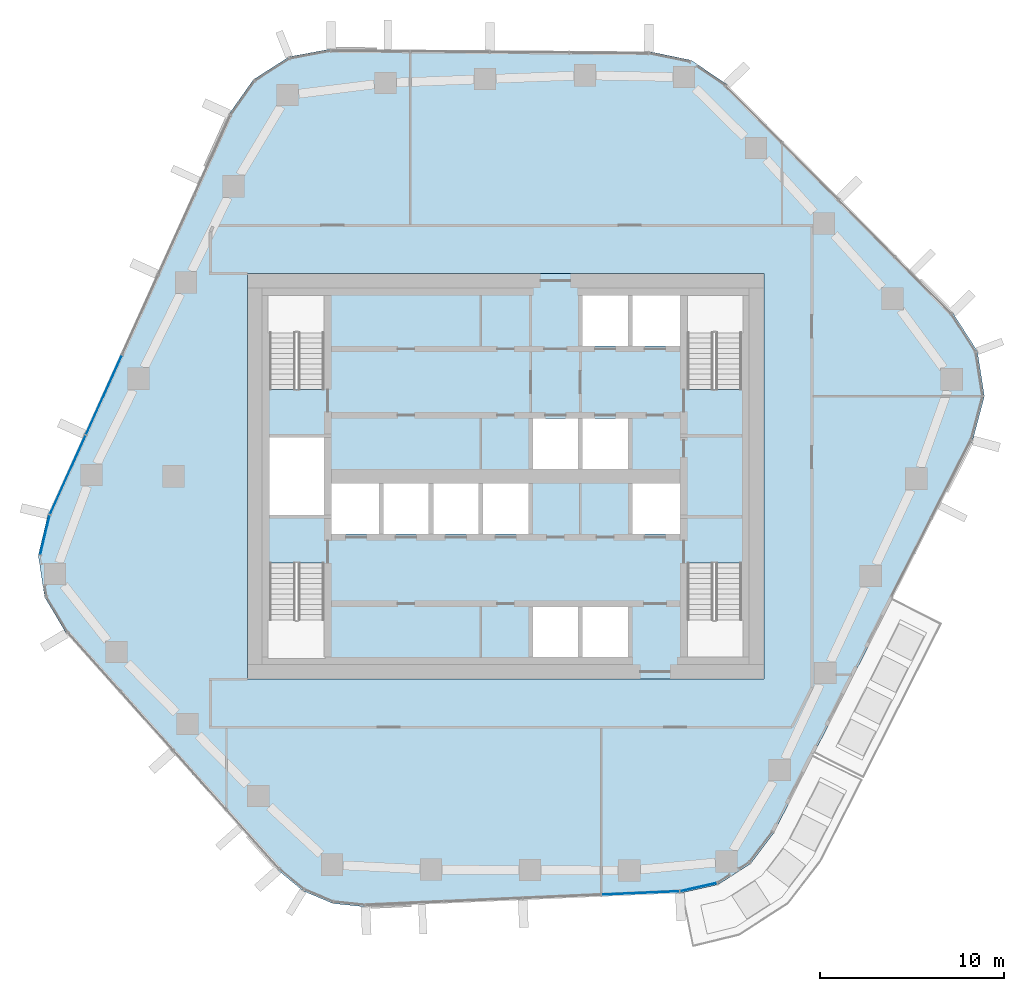
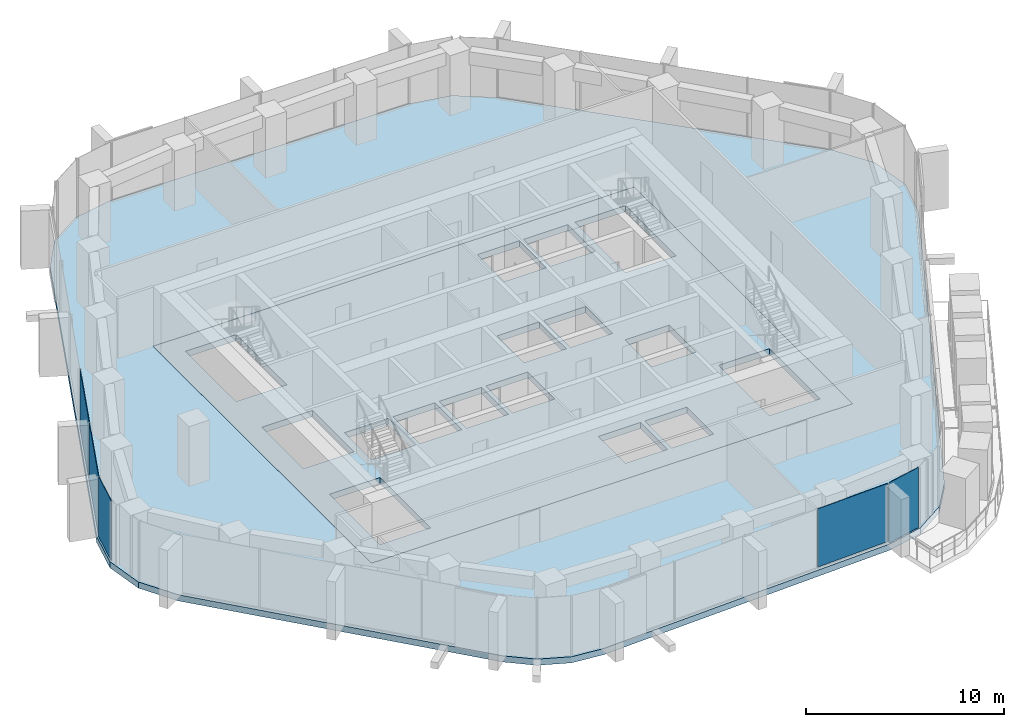
# One storey, part 8 of 17: 5 plates, 2 slabs, 4 elements without a shape of their own.
"""IFC4 building model written with IfcOpenShell, lengths in metres."""

from ifc_helpers import new_model, si_unit, direction, frame, origin, origin_2d, place, context, subcontext, project, spatial, polyline, rectangle, outline, extrude, material, layer, layer_set, type_object, element, aggregate, save


model = new_model("IFC4")

# Units and contexts
model_context = context("Model", 3, precision=1e-05, world=origin(), true_north=direction((0.0, 1.0)))
body_context = subcontext(model_context, "Body", "Model", "MODEL_VIEW")
ifc_project = project(units=[si_unit("LENGTHUNIT", "METRE"), si_unit("AREAUNIT", "SQUARE_METRE"), si_unit("VOLUMEUNIT", "CUBIC_METRE"), si_unit("PLANEANGLEUNIT", "RADIAN"), si_unit("MASSUNIT", "GRAM", prefix="KILO")], contexts=[model_context])

# Site, building, storey
site_placement = place(None, origin())
site = spatial("IfcSite", under=ifc_project, at=site_placement, CompositionType="ELEMENT")
building_placement = place(site_placement, origin())
building = spatial("IfcBuilding", under=site, at=building_placement, Name="Dongbaek Canopy Tower", CompositionType="ELEMENT")
storey_placement = place(building_placement, frame((0.0, 0.0, 179.60009765625)))
storey = spatial("IfcBuildingStorey", under=building, at=storey_placement, Name="L39", CompositionType="ELEMENT", Elevation=179.60009765625)

# Curtain wall, plates
ifc_material_1 = material(Name="Aluminium 6063-T6 pale anodised", Category="aluminium")
ifc_layer_1 = layer(ifc_material_1, 0.199951171875)
ifc_layer_set_1 = layer_set([ifc_layer_1], Name="CW-1 unitised tower curtain wall")
curtain_wall_type = type_object("IfcCurtainWallType", Name="CW-1 unitised tower curtain wall", PredefinedType="NOTDEFINED", material=ifc_layer_set_1)
curtain_wall_1_placement = place(storey_placement, origin())
curtain_wall_1 = element("IfcCurtainWall", 1, at=curtain_wall_1_placement, inside=storey, type_object=curtain_wall_type, Name="CW-1 curtain wall F2.1", PredefinedType="NOTDEFINED")
ifc_material_2 = material(Name="Clear laminated glass", Category="glass")
ifc_layer_2 = layer(ifc_material_2, 0.028076171875)
ifc_layer_set_2 = layer_set([ifc_layer_2], Name="CW-1 glazed panel 28")
plate_type = type_object("IfcPlateType", Name="CW-1 glazed panel 28", PredefinedType="CURTAIN_PANEL", material=ifc_layer_set_2)
plate_1_placement = place(storey_placement, frame((-21.775390625, 4.4111328125, 0.119873046875), z_axis=(0.0, 0.0, 1.0), x_axis=(-0.412080199763, -0.911147578037, 0.0)))
plate_1 = element("IfcPlate", 2, at=plate_1_placement, type_object=plate_type, Name="CW-1 panel F2.1.4.1", PredefinedType="CURTAIN_PANEL", context=body_context, shape_type="SweptSolid", body=[
    extrude(rectangle(XDim=4.677001953125, YDim=0.028076171875, at=origin_2d()), origin(), (0.0, 0.0, 1.0), 3.580078125),
])
plate_2_placement = place(storey_placement, frame((-23.735107421875, 0.077392578125, 0.119873046875), z_axis=(0.0, 0.0, 1.0), x_axis=(-0.412080199763, -0.911147578037, 0.0)))
plate_2 = element("IfcPlate", 3, at=plate_2_placement, type_object=plate_type, Name="CW-1 panel F2.1.5.1", PredefinedType="CURTAIN_PANEL", context=body_context, shape_type="SweptSolid", body=[
    extrude(rectangle(XDim=4.667236328125, YDim=0.028076171875, at=origin_2d()), origin(), (0.0, 0.0, 1.0), 3.580078125),
])
aggregate(curtain_wall_1, [plate_1, plate_2])

# Curtain wall, plate
curtain_wall_2_placement = place(storey_placement, origin())
curtain_wall_2 = element("IfcCurtainWall", 4, at=curtain_wall_2_placement, inside=storey, type_object=curtain_wall_type, Name="CW-1 curtain wall K3.1a", PredefinedType="NOTDEFINED")
plate_3_placement = place(storey_placement, frame((-24.97509765625, -3.189697265625, 0.0), z_axis=(0.0, 0.0, 1.0), x_axis=(-0.230205637646, -0.973142006285, 0.0)))
plate_3 = element("IfcPlate", 5, at=plate_3_placement, type_object=plate_type, Name="CW-1 panel K3.1a.1.1", PredefinedType="CURTAIN_PANEL", context=body_context, shape_type="SweptSolid", body=[
    extrude(rectangle(XDim=2.181884765625, YDim=0.028076171875, at=origin_2d()), origin(), (0.0, 0.0, 1.0), 3.699951171875),
])
aggregate(curtain_wall_2, [plate_3])

curtain_wall_3_placement = place(storey_placement, origin())
curtain_wall_3 = element("IfcCurtainWall", 6, at=curtain_wall_3_placement, inside=storey, type_object=curtain_wall_type, Name="CW-1 curtain wall F4.1", PredefinedType="NOTDEFINED")
plate_4_placement = place(storey_placement, frame((7.311279296875, -22.589599609375, 0.119873046875), z_axis=(0.0, 0.0, 1.0), x_axis=(0.999047313196, 0.043640187851, 0.0)))
plate_4 = element("IfcPlate", 7, at=plate_4_placement, type_object=plate_type, Name="CW-1 panel F4.1.4.1", PredefinedType="CURTAIN_PANEL", context=body_context, shape_type="SweptSolid", body=[
    extrude(rectangle(XDim=4.1767578125, YDim=0.028076171875, at=origin_2d()), origin(), (0.0, 0.0, 1.0), 3.580078125),
])
aggregate(curtain_wall_3, [plate_4])

curtain_wall_4_placement = place(storey_placement, origin())
curtain_wall_4 = element("IfcCurtainWall", 8, at=curtain_wall_4_placement, inside=storey, type_object=curtain_wall_type, Name="CW-1 curtain wall K5.1a", PredefinedType="NOTDEFINED")
plate_5_placement = place(storey_placement, frame((10.453857421875, -22.269775390625, 0.0), z_axis=(0.0, 0.0, 1.0), x_axis=(0.975895634578, 0.218237738286, 0.0)))
plate_5 = element("IfcPlate", 9, at=plate_5_placement, type_object=plate_type, Name="CW-1 panel K5.1a.1.1", PredefinedType="CURTAIN_PANEL", context=body_context, shape_type="SweptSolid", body=[
    extrude(rectangle(XDim=1.99462890625, YDim=0.028076171875, at=origin_2d()), origin(), (0.0, 0.0, 1.0), 3.699951171875),
])
aggregate(curtain_wall_4, [plate_5])

# Slabs
ifc_material_3 = material(Name="Concrete C40/50", Category="concrete")
ifc_layer_3 = layer(ifc_material_3, 0.3798828125)
ifc_layer_set_3 = layer_set([ifc_layer_3], Name="Core floor slab 380 Concrete C40/50")
slab_type_1 = type_object("IfcSlabType", Name="Core floor slab 380 Concrete C40/50", PredefinedType="FLOOR", material=ifc_layer_set_3)
slab_1_placement = place(storey_placement, frame((0.0, 0.0, -0.380126953125)))
element("IfcSlab", 10, at=slab_1_placement, inside=storey, type_object=slab_type_1, Name="Core floor slab L39", PredefinedType="FLOOR", context=body_context, shape_type="SweptSolid", body=[
    extrude(outline(polyline([(14.0, -11.0), (14.0, 11.0), (-14.0, 11.0), (-14.0, -11.0), (14.0, -11.0)]), holes=[polyline([(-12.800048828125, 2.10009765625), (-9.85009765625, 2.10009765625), (-9.85009765625, -2.10009765625), (-12.800048828125, -2.10009765625), (-12.800048828125, 2.10009765625)]), polyline([(6.625, 9.800048828125), (6.625, 7.074951171875), (4.175048828125, 7.074951171875), (4.175048828125, 9.800048828125), (6.625, 9.800048828125)]), polyline([(9.449951171875, 7.074951171875), (6.875, 7.074951171875), (6.875, 9.800048828125), (9.449951171875, 9.800048828125), (9.449951171875, 7.074951171875)]), polyline([(1.47509765625, 0.39990234375), (1.47509765625, 3.125), (3.925048828125, 3.125), (3.925048828125, 0.39990234375), (1.47509765625, 0.39990234375)]), polyline([(4.175048828125, 0.39990234375), (4.175048828125, 3.125), (6.625, 3.125), (6.625, 0.39990234375), (4.175048828125, 0.39990234375)]), polyline([(-9.449951171875, -0.39990234375), (-6.875, -0.39990234375), (-6.875, -3.125), (-9.449951171875, -3.125), (-9.449951171875, -0.39990234375)]), polyline([(-6.625, -3.125), (-6.625, -0.39990234375), (-4.175048828125, -0.39990234375), (-4.175048828125, -3.125), (-6.625, -3.125)]), polyline([(-3.925048828125, -3.125), (-3.925048828125, -0.39990234375), (-1.47509765625, -0.39990234375), (-1.47509765625, -3.125), (-3.925048828125, -3.125)]), polyline([(-1.22509765625, -3.125), (-1.22509765625, -0.39990234375), (1.22509765625, -0.39990234375), (1.22509765625, -3.125), (-1.22509765625, -3.125)]), polyline([(9.449951171875, -3.125), (6.875, -3.125), (6.875, -0.39990234375), (9.449951171875, -0.39990234375), (9.449951171875, -3.125)]), polyline([(1.47509765625, -9.800048828125), (1.47509765625, -7.074951171875), (3.925048828125, -7.074951171875), (3.925048828125, -9.800048828125), (1.47509765625, -9.800048828125)]), polyline([(4.175048828125, -9.800048828125), (4.175048828125, -7.074951171875), (6.625, -7.074951171875), (6.625, -9.800048828125), (4.175048828125, -9.800048828125)]), polyline([(12.800048828125, 4.70068359375), (12.800048828125, 9.800048828125), (9.85009765625, 9.800048828125), (9.85009765625, 4.70068359375), (12.800048828125, 4.70068359375)]), polyline([(-9.85009765625, 4.70068359375), (-9.85009765625, 9.800048828125), (-12.800048828125, 9.800048828125), (-12.800048828125, 4.70068359375), (-9.85009765625, 4.70068359375)]), polyline([(9.85009765625, -4.70068359375), (9.85009765625, -9.800048828125), (12.800048828125, -9.800048828125), (12.800048828125, -4.70068359375), (9.85009765625, -4.70068359375)]), polyline([(-12.800048828125, -4.70068359375), (-12.800048828125, -9.800048828125), (-9.85009765625, -9.800048828125), (-9.85009765625, -4.70068359375), (-12.800048828125, -4.70068359375)])]), origin(), (0.0, 0.0, 1.0), 0.380126953125),
])
ifc_material_4 = material(Name="Concrete C40", Category="concrete")
ifc_layer_4 = layer(ifc_material_4, 0.3798828125)
ifc_layer_set_4 = layer_set([ifc_layer_4], Name="RC FLAT PLATE 380 Concrete C40")
slab_type_2 = type_object("IfcSlabType", Name="RC FLAT PLATE 380 Concrete C40", PredefinedType="FLOOR", material=ifc_layer_set_4)
slab_2_placement = place(storey_placement, frame((0.0, 0.0, -0.380126953125)))
element("IfcSlab", 11, at=slab_2_placement, inside=storey, type_object=slab_type_2, Name="SLAB:L39", PredefinedType="FLOOR", context=body_context, shape_type="SweptSolid", body=[
    extrude(outline(polyline([(14.543212890625, -19.31396484375), (13.27685546875, -20.995849609375), (11.50732421875, -22.13671875), (9.452880859375, -22.59619140625), (-7.60888671875, -23.34130859375), (-9.362060546875, -23.158935546875), (-10.986572265625, -22.474609375), (-12.342041015625, -21.34814453125), (-23.813720703125, -8.5283203125), (-24.98876953125, -6.556640625), (-25.337646484375, -4.2880859375), (-24.809326171875, -2.0546875), (-14.999755859375, 19.635009765625), (-13.672607421875, 21.505859375), (-11.740478515625, 22.74169921875), (-9.485595703125, 23.16259765625), (7.7666015625, 23.027099609375), (10.052734375, 22.55517578125), (11.985595703125, 21.24658203125), (24.226318359375, 8.8701171875), (25.568115234375, 6.78466796875), (25.9521484375, 4.334716796875), (25.3125, 1.938720703125), (14.543212890625, -19.31396484375)]), holes=[polyline([(14.0, 11.0), (-14.0, 11.0), (-14.0, -11.0), (14.0, -11.0), (14.0, 11.0)])]), origin(), (0.0, 0.0, 1.0), 0.380126953125),
])

save(model, "model.ifc")
